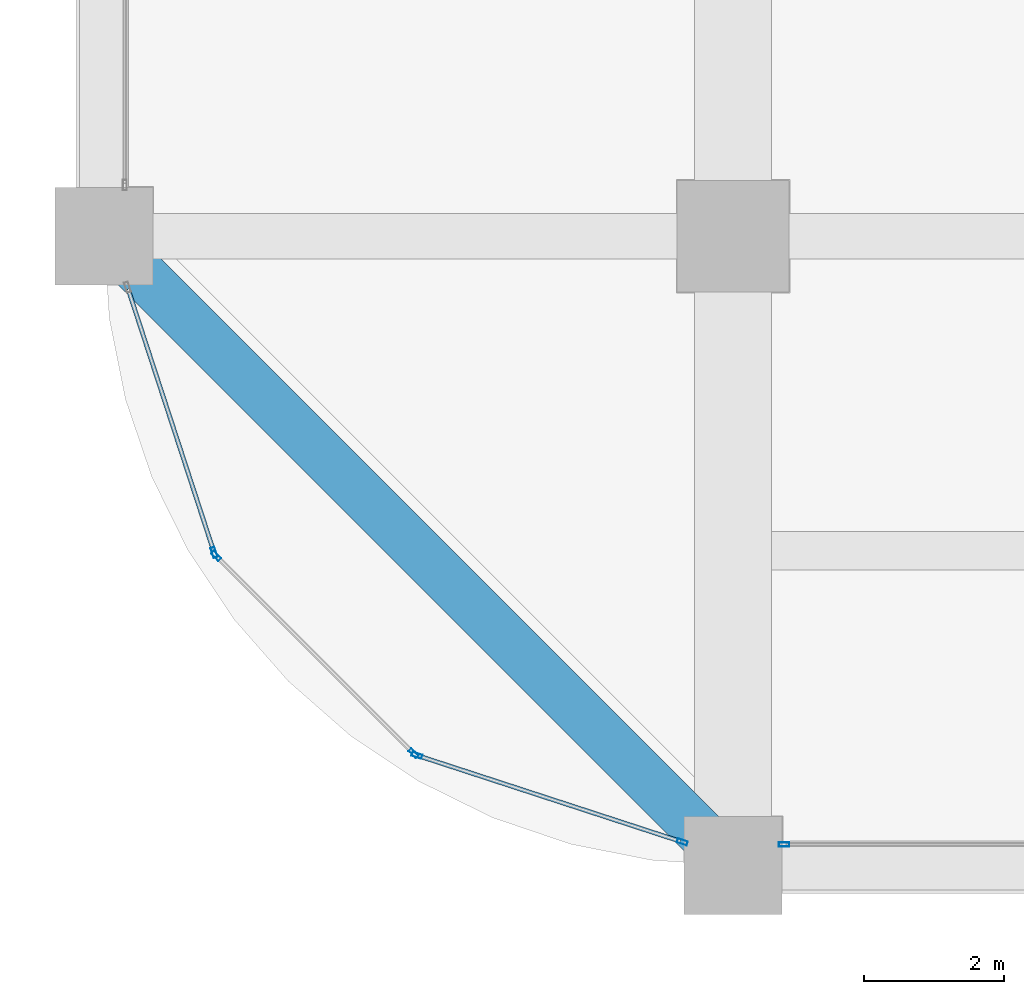
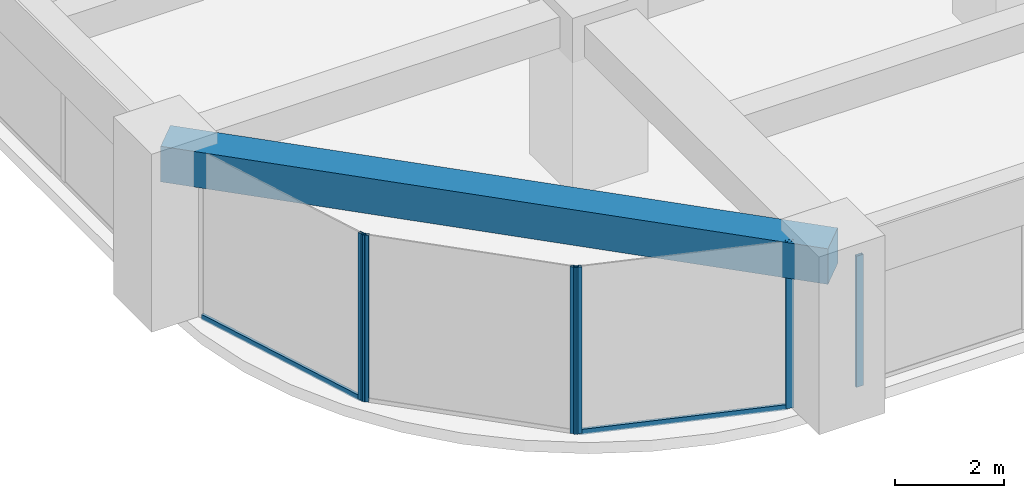
# One storey, part 2 of 33: 8 members, 1 beam, 4 elements without a shape of their own.
"""IFC4 building model written with IfcOpenShell, lengths in metres."""

from ifc_helpers import new_model, si_unit, direction, frame, origin, origin_2d, place, context, subcontext, project, spatial, rectangle, hollow_rectangle, extrude, material, material_profile, profile_set, type_object, element, aggregate, save


model = new_model("IFC4")

# Units and contexts
model_context = context("Model", 3, precision=1e-05, world=origin(), true_north=direction((0.0, 1.0)))
body_context = subcontext(model_context, "Body", "Model", "MODEL_VIEW")
ifc_project = project(units=[si_unit("LENGTHUNIT", "METRE"), si_unit("AREAUNIT", "SQUARE_METRE"), si_unit("VOLUMEUNIT", "CUBIC_METRE"), si_unit("PLANEANGLEUNIT", "RADIAN"), si_unit("MASSUNIT", "GRAM", prefix="KILO")], contexts=[model_context])

# Site, building, storey
site_placement = place(None, origin())
site = spatial("IfcSite", under=ifc_project, at=site_placement, CompositionType="ELEMENT")
building_placement = place(site_placement, origin())
building = spatial("IfcBuilding", under=site, at=building_placement, Name="Zorevar Civic Tower", CompositionType="ELEMENT")
storey_placement = place(building_placement, frame((0.0, 0.0, 194.199951171875)))
storey = spatial("IfcBuildingStorey", under=building, at=storey_placement, Name="L47", CompositionType="ELEMENT", Elevation=194.199951171875)

# Curtain wall, member
ifc_material_1 = material(Name="Dark grey solar-control glass in black aluminium frame", Category="aluminium")
curtain_wall_type = type_object("IfcCurtainWallType", Name="Curtain wall CW4 high zone", PredefinedType="NOTDEFINED", material=ifc_material_1)
curtain_wall_1_placement = place(storey_placement, origin())
curtain_wall_1 = element("IfcCurtainWall", 1, at=curtain_wall_1_placement, inside=storey, type_object=curtain_wall_type, Name="CW4 L47", PredefinedType="NOTDEFINED")
ifc_material_2 = material(Name="Aluminium, black anodised", Category="aluminium")
ifc_material_profile_1 = material_profile(ifc_material_2, hollow_rectangle(XDim=0.06005859375, YDim=0.14990234375, WallThickness=0.00390625, at=origin_2d()), Name="AL 150x60x4")
ifc_profile_set_1 = profile_set([ifc_material_profile_1], Name="Aluminium, black anodised")
member_type_1 = type_object("IfcMemberType", Name="CW4 mullion AL 150x60x4", PredefinedType="MULLION", material=ifc_profile_set_1)
member_1_placement = place(storey_placement, frame((9.72998046875, 0.300048828125, 0.0), z_axis=(0.0, 0.0, 1.0), x_axis=(0.0, 1.0, 0.0)))
member_1 = element("IfcMember", 2, at=member_1_placement, type_object=member_type_1, Name="CW4 mullion 1", PredefinedType="MULLION", context=body_context, shape_type="SweptSolid", body=[
    extrude(hollow_rectangle(XDim=0.06005859375, YDim=0.14990234375, WallThickness=0.00390625, at=origin_2d()), origin(), (0.0, 0.0, 1.0), 2.949951171875),
])
aggregate(curtain_wall_1, [member_1])

curtain_wall_2_placement = place(storey_placement, origin())
curtain_wall_2 = element("IfcCurtainWall", 3, at=curtain_wall_2_placement, inside=storey, type_object=curtain_wall_type, Name="CW4 L47", PredefinedType="NOTDEFINED")
member_2_placement = place(storey_placement, frame((1.57568359375, 4.477783203125, 0.0), z_axis=(0.0, 0.0, 1.0), x_axis=(0.950644749916, 0.310281419775, 0.0)))
member_2 = element("IfcMember", 4, at=member_2_placement, type_object=member_type_1, Name="CW4 mullion 2", PredefinedType="MULLION", context=body_context, shape_type="SweptSolid", body=[
    extrude(hollow_rectangle(XDim=0.06005859375, YDim=0.14990234375, WallThickness=0.00390625, at=origin_2d()), origin(), (0.0, 0.0, 1.0), 3.75),
])

# Curtain wall, members
curtain_wall_3_placement = place(storey_placement, origin())
curtain_wall_3 = element("IfcCurtainWall", 5, at=curtain_wall_3_placement, inside=storey, type_object=curtain_wall_type, Name="CW4 L47", PredefinedType="NOTDEFINED")
member_3_placement = place(storey_placement, frame((1.606201171875, 4.427978515625, 0.0), z_axis=(0.0, 0.0, 1.0), x_axis=(0.707106781187, 0.707106781187, 0.0)))
member_3 = element("IfcMember", 6, at=member_3_placement, type_object=member_type_1, Name="CW4 mullion 1", PredefinedType="MULLION", context=body_context, shape_type="SweptSolid", body=[
    extrude(hollow_rectangle(XDim=0.06005859375, YDim=0.14990234375, WallThickness=0.00390625, at=origin_2d()), origin(), (0.0, 0.0, 1.0), 3.75),
])
member_4_placement = place(storey_placement, frame((4.427978515625, 1.606201171875, 0.0), z_axis=(0.0, 0.0, 1.0), x_axis=(0.707106781187, 0.707106781187, 0.0)))
member_4 = element("IfcMember", 7, at=member_4_placement, type_object=member_type_1, Name="CW4 mullion 2", PredefinedType="MULLION", context=body_context, shape_type="SweptSolid", body=[
    extrude(hollow_rectangle(XDim=0.06005859375, YDim=0.14990234375, WallThickness=0.00390625, at=origin_2d()), origin(), (0.0, 0.0, 1.0), 3.75),
])
aggregate(curtain_wall_3, [member_3, member_4])

curtain_wall_4_placement = place(storey_placement, origin())
curtain_wall_4 = element("IfcCurtainWall", 8, at=curtain_wall_4_placement, inside=storey, type_object=curtain_wall_type, Name="CW4 L47", PredefinedType="NOTDEFINED")
member_5_placement = place(storey_placement, frame((4.477783203125, 1.57568359375, 0.0), z_axis=(0.0, 0.0, 1.0), x_axis=(0.310281419775, 0.950644749916, 0.0)))
member_5 = element("IfcMember", 9, at=member_5_placement, type_object=member_type_1, Name="CW4 mullion 1", PredefinedType="MULLION", context=body_context, shape_type="SweptSolid", body=[
    extrude(hollow_rectangle(XDim=0.06005859375, YDim=0.14990234375, WallThickness=0.00390625, at=origin_2d()), origin(), (0.0, 0.0, 1.0), 3.75),
])
member_6_placement = place(storey_placement, frame((8.271484375, 0.337646484375, 0.0), z_axis=(0.0, 0.0, 1.0), x_axis=(0.310281419775, 0.950644749916, 0.0)))
member_6 = element("IfcMember", 10, at=member_6_placement, type_object=member_type_1, Name="CW4 mullion 2", PredefinedType="MULLION", context=body_context, shape_type="SweptSolid", body=[
    extrude(hollow_rectangle(XDim=0.06005859375, YDim=0.14990234375, WallThickness=0.00390625, at=origin_2d()), origin(), (0.0, 0.0, 1.0), 3.75),
])

# Member
ifc_material_3 = material(Name="Aluminium, black anodised", Category="aluminium")
ifc_material_profile_2 = material_profile(ifc_material_3, hollow_rectangle(XDim=0.06005859375, YDim=0.1201171875, WallThickness=0.0029296875, at=origin_2d()), Name="AL 120x60x3")
ifc_profile_set_2 = profile_set([ifc_material_profile_2], Name="Aluminium, black anodised")
member_type_2 = type_object("IfcMemberType", Name="CW4 transom AL 120x60x3", PredefinedType="USERDEFINED", material=ifc_profile_set_2)
member_7_placement = place(storey_placement, frame((0.346923828125, 8.242919921875, 0.030029296875), z_axis=(0.31025859143, -0.950652200568, 0.0), x_axis=(0.950652200568, 0.31025859143, 0.0)))
member_7 = element("IfcMember", 11, at=member_7_placement, type_object=member_type_2, Name="CW4 sill transom", ObjectType="TRANSOM", PredefinedType="USERDEFINED", context=body_context, shape_type="SweptSolid", body=[
    extrude(hollow_rectangle(XDim=0.06005859375, YDim=0.1201171875, WallThickness=0.0029296875, at=origin_2d()), origin(), (0.0, 0.0, 1.0), 3.930419921875),
])

aggregate(curtain_wall_2, [member_2, member_7])

member_8_placement = place(storey_placement, frame((4.50634765625, 1.56640625, 0.030029296875), z_axis=(0.950652200568, -0.31025859143, 0.0), x_axis=(0.31025859143, 0.950652200568, 0.0)))
member_8 = element("IfcMember", 12, at=member_8_placement, type_object=member_type_2, Name="CW4 sill transom", ObjectType="TRANSOM", PredefinedType="USERDEFINED", context=body_context, shape_type="SweptSolid", body=[
    extrude(hollow_rectangle(XDim=0.06005859375, YDim=0.1201171875, WallThickness=0.0029296875, at=origin_2d()), origin(), (0.0, 0.0, 1.0), 3.930419921875),
])

aggregate(curtain_wall_4, [member_5, member_6, member_8])

# Beam
ifc_material_4 = material(Name="Concrete C50/60", Category="concrete")
ifc_material_profile_3 = material_profile(ifc_material_4, rectangle(XDim=0.699951171875, YDim=0.800048828125, at=origin_2d()), Name="RC 700x800")
ifc_profile_set_3 = profile_set([ifc_material_profile_3], Name="Concrete C50/60")
beam_type = type_object("IfcBeamType", Name="Edge beam RC 700x800", PredefinedType="SPANDREL", material=ifc_profile_set_3)
beam_placement = place(storey_placement, frame((0.0, 9.0, 3.35009765625), z_axis=(0.707106781187, -0.707106781187, 0.0), x_axis=(0.707106781187, 0.707106781187, 0.0)))
element("IfcBeam", 13, at=beam_placement, inside=storey, type_object=beam_type, Name="Corner edge beam L48", PredefinedType="SPANDREL", context=body_context, shape_type="SweptSolid", body=[
    extrude(rectangle(XDim=0.699951171875, YDim=0.800048828125, at=origin_2d()), origin(), (0.0, 0.0, 1.0), 12.72802734375),
])

save(model, "model.ifc")
